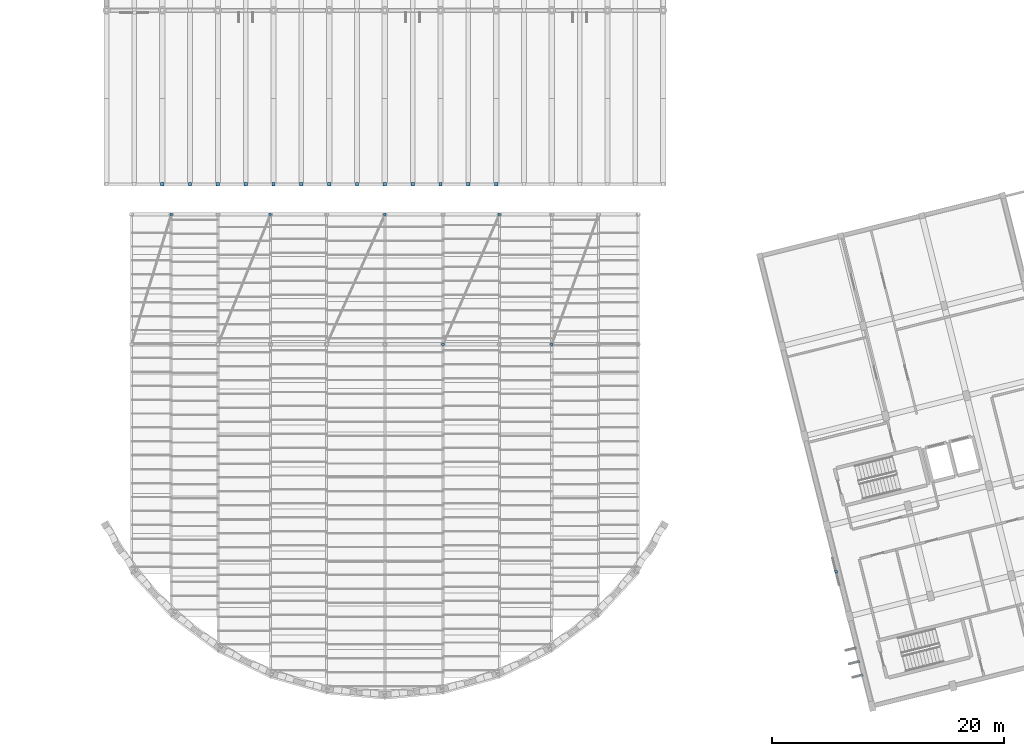
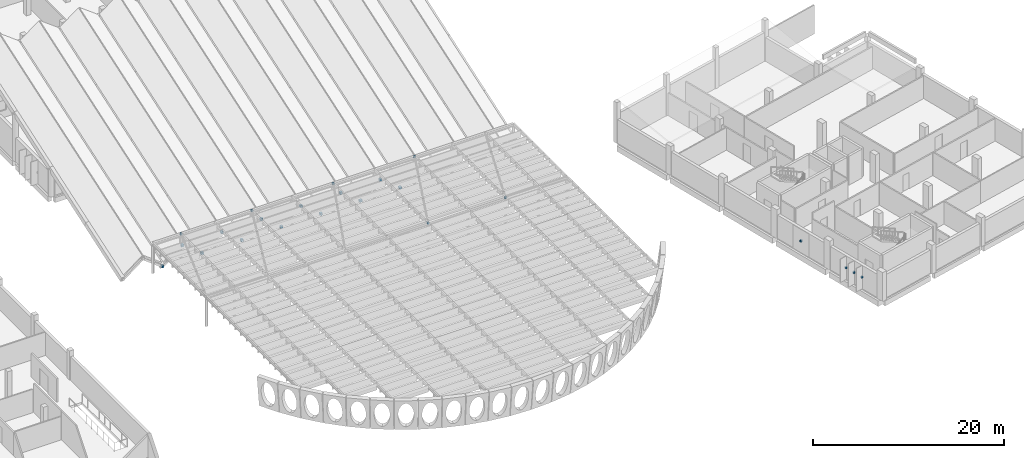
# One storey, part 35 of 47: 23 discrete accessories.
"""IFC4 building model written with IfcOpenShell, lengths in metres."""

from ifc_helpers import new_model, si_unit, direction, frame, origin, origin_2d, place, context, subcontext, project, spatial, rectangle, extrude, material, layer, layer_set, type_object, element, save


model = new_model("IFC4")

# Units and contexts
model_context = context("Model", 3, precision=1e-05, world=origin(), true_north=direction((0.0, 1.0)))
body_context = subcontext(model_context, "Body", "Model", "MODEL_VIEW")
ifc_project = project(units=[si_unit("LENGTHUNIT", "METRE"), si_unit("AREAUNIT", "SQUARE_METRE"), si_unit("VOLUMEUNIT", "CUBIC_METRE"), si_unit("PLANEANGLEUNIT", "RADIAN"), si_unit("MASSUNIT", "GRAM", prefix="KILO")], contexts=[model_context])

# Site, building, storey
site_placement = place(None, origin())
site = spatial("IfcSite", under=ifc_project, at=site_placement, CompositionType="ELEMENT")
building_placement = place(site_placement, origin())
building = spatial("IfcBuilding", under=site, at=building_placement, Name="Mawjan Specialist Oncology Clinic", CompositionType="ELEMENT")
storey_placement = place(building_placement, frame((0.0, 0.0, 9.5)))
storey = spatial("IfcBuildingStorey", under=building, at=storey_placement, Name="L02", CompositionType="ELEMENT", Elevation=9.5)

# Discrete accessories
ifc_material = material(Name="Structural steel S355", Category="steel")
ifc_layer = layer(ifc_material, 0.219970703125, Name="Structural steel S355", Category="steel")
ifc_layer_set = layer_set([ifc_layer], Name="Structural steel S355")
discrete_accessory_type = type_object("IfcDiscreteAccessoryType", Name="BRK-S355", PredefinedType="BRACKET", material=ifc_layer_set)
for number, where, z_axis, x_axis, name in (
    (1, (64.800048828125, 45.800048828125, -1.7998046875), (0.0, 0.0, 1.0), (1.0, 0.0, 0.0), "Strut End Gusset Connection Plate 11"),
    (2, (67.199951171875, 45.800048828125, 0.0400390625), (0.0, 0.0, 1.0), (1.0, 0.0, 0.0), "Strut End Gusset Connection Plate 18"),
    (3, (69.60009765625, 45.800048828125, -1.7998046875), (0.0, 0.0, 1.0), (1.0, 0.0, 0.0), "Strut End Gusset Connection Plate 19"),
    (4, (72.0, 45.800048828125, 0.0400390625), (0.0, 0.0, 1.0), (1.0, 0.0, 0.0), "Strut End Gusset Connection Plate 24"),
    (5, (74.39990234375, 45.800048828125, -1.7998046875), (0.0, 0.0, 1.0), (1.0, 0.0, 0.0), "Strut End Gusset Connection Plate 25"),
    (6, (76.800048828125, 45.800048828125, 0.0400390625), (0.0, 0.0, 1.0), (1.0, 0.0, 0.0), "Strut End Gusset Connection Plate 30"),
    (7, (79.199951171875, 45.800048828125, -1.7998046875), (0.0, 0.0, 1.0), (1.0, 0.0, 0.0), "Strut End Gusset Connection Plate 31"),
    (8, (81.60009765625, 45.800048828125, 0.0400390625), (0.0, 0.0, 1.0), (1.0, 0.0, 0.0), "Strut End Gusset Connection Plate 36"),
    (9, (84.0, 45.800048828125, -1.7998046875), (0.0, 0.0, 1.0), (1.0, 0.0, 0.0), "Strut End Gusset Connection Plate 37"),
    (10, (86.39990234375, 45.800048828125, 0.0400390625), (0.0, 0.0, 1.0), (1.0, 0.0, 0.0), "Strut End Gusset Connection Plate 42"),
    (11, (88.800048828125, 45.800048828125, -1.7998046875), (0.0, 0.0, 1.0), (1.0, 0.0, 0.0), "Strut End Gusset Connection Plate 43"),
    (12, (91.199951171875, 45.800048828125, 0.0400390625), (0.0, 0.0, 1.0), (1.0, 0.0, 0.0), "Strut End Gusset Connection Plate 48"),
    (13, (93.60009765625, 45.800048828125, -1.7998046875), (0.0, 0.0, 1.0), (1.0, 0.0, 0.0), "Strut End Gusset Connection Plate 49"),
):
    element("IfcDiscreteAccessory", number, at=place(storey_placement, frame(where, z_axis=z_axis, x_axis=x_axis)), inside=storey, type_object=discrete_accessory_type, Name=name, PredefinedType="BRACKET", context=body_context, shape_type="SweptSolid", body=[
        extrude(rectangle(XDim=0.280029296875, YDim=0.280029296875, at=origin_2d()), origin(), (0.0, 0.0, 1.0), 0.280029296875),
    ])
for number, where, z_axis, x_axis, name in (
    (14, (65.573486328125, 43.199951171875, 3.6748046875), (0.0, 0.0, 1.0), (1.0, 0.0, 0.0), "Brace End Gusset Connection Plate 73"),
    (15, (74.131103515625, 43.199951171875, 3.6748046875), (0.0, 0.0, 1.0), (1.0, 0.0, 0.0), "Brace End Gusset Connection Plate 75"),
    (16, (84.0, 43.199951171875, 3.6748046875), (0.0, 0.0, 1.0), (1.0, 0.0, 0.0), "Brace End Gusset Connection Plate 77"),
    (17, (89.018310546875, 32.0, 3.6748046875), (0.0, 0.0, 1.0), (1.0, 0.0, 0.0), "Brace End Gusset Connection Plate 78"),
    (18, (93.868896484375, 43.199951171875, 3.6748046875), (0.0, 0.0, 1.0), (1.0, 0.0, 0.0), "Brace End Gusset Connection Plate 79"),
    (19, (98.388671875, 32.0, 3.6748046875), (0.0, 0.0, 1.0), (1.0, 0.0, 0.0), "Brace End Gusset Connection Plate 80"),
):
    element("IfcDiscreteAccessory", number, at=place(storey_placement, frame(where, z_axis=z_axis, x_axis=x_axis)), inside=storey, type_object=discrete_accessory_type, Name=name, PredefinedType="BRACKET", context=body_context, shape_type="SweptSolid", body=[
        extrude(rectangle(XDim=0.239990234375, YDim=0.239990234375, at=origin_2d()), origin(), (0.0, 0.0, 1.0), 0.199951171875),
    ])
for number, where, z_axis, x_axis, name in (
    (20, (125.13330078125, 3.4697265625, 1.38232421875), (0.0, 0.0, 1.0), (-0.2419218956, 0.970295726276, 0.0), "Solar Fin Mounting Bracket 19"),
    (21, (124.843017578125, 4.634033203125, 1.38232421875), (0.0, 0.0, 1.0), (-0.2419218956, 0.970295726276, 0.0), "Solar Fin Mounting Bracket 20"),
    (22, (124.552734375, 5.79833984375, 1.38232421875), (0.0, 0.0, 1.0), (-0.2419218956, 0.970295726276, 0.0), "Solar Fin Mounting Bracket 21"),
):
    element("IfcDiscreteAccessory", number, at=place(storey_placement, frame(where, z_axis=z_axis, x_axis=x_axis)), inside=storey, type_object=discrete_accessory_type, Name=name, PredefinedType="BRACKET", context=body_context, shape_type="SweptSolid", body=[
        extrude(rectangle(XDim=0.219970703125, YDim=0.219970703125, at=origin_2d()), origin(), (0.0, 0.0, 1.0), 0.219970703125),
    ])
discrete_accessory_placement = place(storey_placement, frame((122.90771484375, 12.396484375, 1.38232421875), z_axis=(0.0, 0.0, 1.0), x_axis=(-0.2419218956, 0.970295726276, 0.0)))
element("IfcDiscreteAccessory", 23, at=discrete_accessory_placement, inside=storey, type_object=discrete_accessory_type, Name="Rawshan Screen Mounting Bracket 22", PredefinedType="BRACKET", context=body_context, shape_type="SweptSolid", body=[
    extrude(rectangle(XDim=0.239990234375, YDim=0.239990234375, at=origin_2d()), origin(), (0.0, 0.0, 1.0), 0.219970703125),
])

save(model, "model.ifc")
